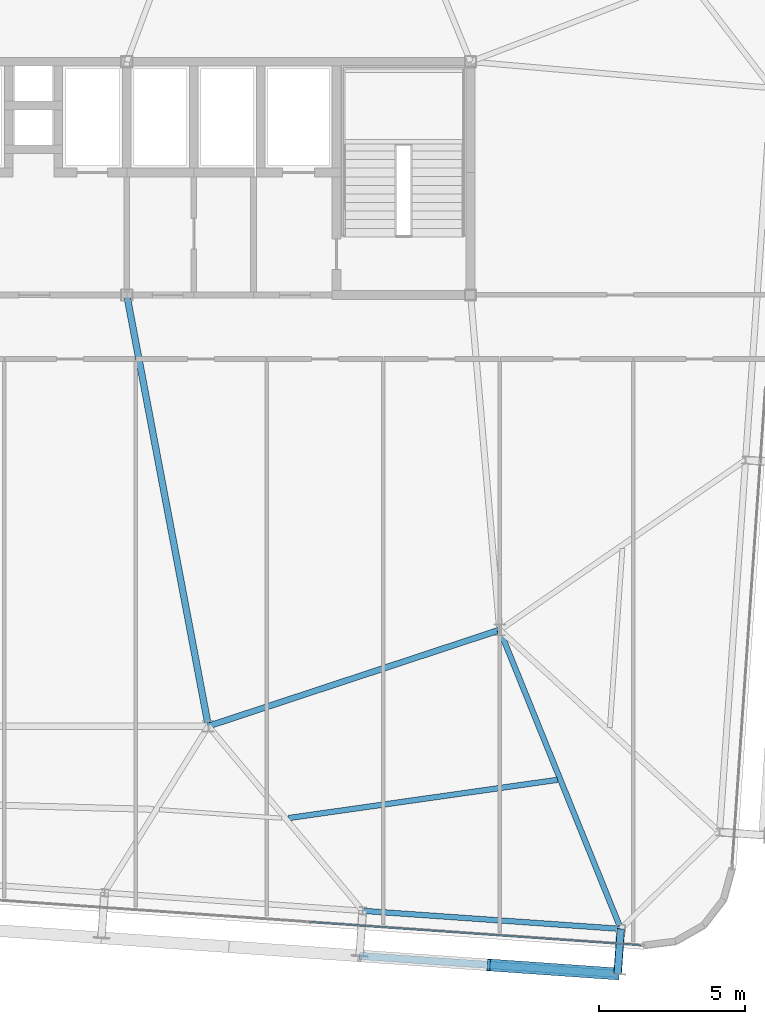
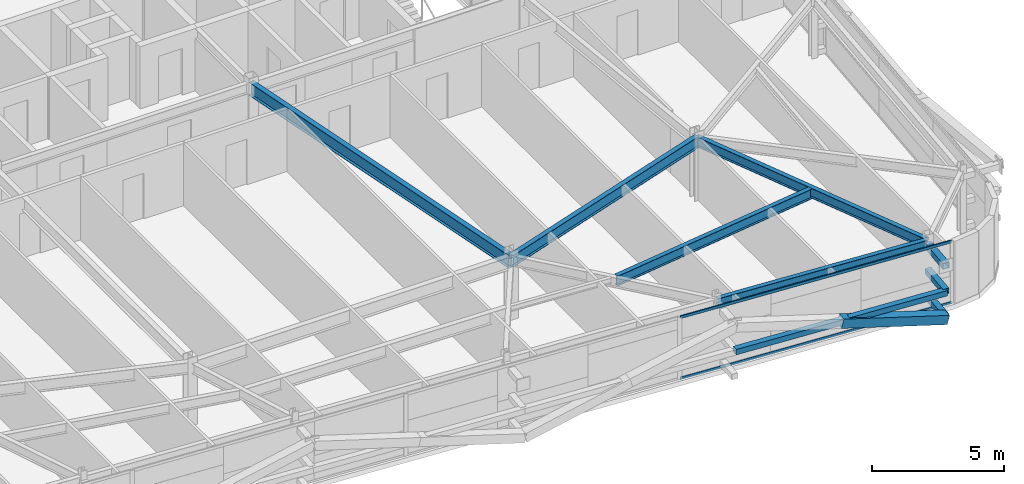
# One storey, part 14 of 39: 7 members, 5 beams, 1 element without a shape of its own.
"""IFC4 building model written with IfcOpenShell, lengths in metres."""

import ifcopenshell
import ifcopenshell.guid

model = None  # the IFC model being written
_history = None  # IfcOwnerHistory: only IFC2X3 demands one
_inside = {}  # id of a spatial element -> (the spatial element, [elements in it])
_under = {}  # id of a project, library or spatial element -> (it, [spatial elements below it])
_declared = {}  # id of a project -> (the project, [libraries it declares])
_typed = {}  # id of a type object -> (the type object, [elements of that type])
_made_of = {}  # id of a material, layer set ... -> (it, [elements and type objects made of it])


def new_model(schema):
    """Start an empty IFC model of exactly this schema.

    Asked for "IFC4X3", IfcOpenShell would pick the latest addendum, in which some entities
    have other attributes; the version numbers below select the first issue.
    IFC2X3 requires an IfcOwnerHistory on every rooted entity: one is made here for all.
    """
    global model, _history
    if schema == "IFC4X3":
        model = ifcopenshell.file(schema_version=(4, 3, 0, 0))
    else:
        model = ifcopenshell.file(schema=schema)
    _inside.clear()
    _under.clear()
    _declared.clear()
    _typed.clear()
    _made_of.clear()
    _history = None
    if model.schema == "IFC2X3":
        org = make("IfcOrganization", Name="unknown")
        user = make(
            "IfcPersonAndOrganization",
            ThePerson=make("IfcPerson", FamilyName="unknown"),
            TheOrganization=org,
        )
        app = make(
            "IfcApplication",
            ApplicationDeveloper=org,
            Version="unknown",
            ApplicationFullName="unknown",
            ApplicationIdentifier="unknown",
        )
        _history = make(
            "IfcOwnerHistory",
            OwningUser=user,
            OwningApplication=app,
            ChangeAction="ADDED",
            CreationDate=0,
        )
    return model


def make(cls, **values):
    """One entity of the class cls with the attributes given. An attribute that is None is left unset."""
    return model.create_entity(
        cls, **{name: value for name, value in values.items() if value is not None}
    )


def rooted(cls, **values):
    """An entity with a GlobalId (a new one), such as an element, a storey or a relation."""
    return make(cls, GlobalId=ifcopenshell.guid.new(), OwnerHistory=_history, **values)


def si_unit(unit_type, name, prefix=None):
    """IfcSIUnit, for example si_unit("LENGTHUNIT", "METRE", prefix="MILLI")."""
    return make("IfcSIUnit", UnitType=unit_type, Prefix=prefix, Name=name)


def assignment(units):
    """IfcUnitAssignment: the units of a project."""
    return None if units is None else make("IfcUnitAssignment", Units=units)


def point(xyz):
    """IfcCartesianPoint."""
    return None if xyz is None else make("IfcCartesianPoint", Coordinates=xyz)


def direction(xyz):
    """IfcDirection."""
    return None if xyz is None else make("IfcDirection", DirectionRatios=xyz)


def frame(location, z_axis=None, x_axis=None):
    """IfcAxis2Placement3D, a coordinate frame: its origin and axes. An axis left out is left unset."""
    return make(
        "IfcAxis2Placement3D",
        Location=point(location),
        Axis=direction(z_axis),
        RefDirection=direction(x_axis),
    )


def frame_2d(location, x_axis=None):
    """IfcAxis2Placement2D, a coordinate frame in the plane: its origin and x axis."""
    return make(
        "IfcAxis2Placement2D", Location=point(location), RefDirection=direction(x_axis)
    )


def origin():
    """The frame at (0, 0, 0) with its axes left unset."""
    return frame((0.0, 0.0, 0.0))


def origin_2d():
    """The frame at (0, 0) in the plane with its x axis left unset."""
    return frame_2d((0.0, 0.0))


def place(relative_to, where):
    """IfcLocalPlacement: puts the frame where relative to a parent placement (None: the world)."""
    return make(
        "IfcLocalPlacement", PlacementRelTo=relative_to, RelativePlacement=where
    )


def context(
    kind, dimensions, precision=None, world=None, true_north=None, identifier=None
):
    """IfcGeometricRepresentationContext, for example the 3D "Model" context."""
    return make(
        "IfcGeometricRepresentationContext",
        ContextIdentifier=identifier,
        ContextType=kind,
        CoordinateSpaceDimension=dimensions,
        Precision=precision,
        WorldCoordinateSystem=world,
        TrueNorth=true_north,
    )


def subcontext(parent, identifier, kind, view, scale=None):
    """IfcGeometricRepresentationSubContext, for example "Body" below "Model"."""
    return make(
        "IfcGeometricRepresentationSubContext",
        ContextIdentifier=identifier,
        ContextType=kind,
        ParentContext=parent,
        TargetScale=scale,
        TargetView=view,
    )


def project(units=None, contexts=None):
    """IfcProject with its units and contexts."""
    return rooted(
        "IfcProject",
        Name="project",
        RepresentationContexts=contexts,
        UnitsInContext=assignment(units),
    )


def spatial(cls, under=None, at=None, **own):
    """A site, building, storey or space (cls), placed at a placement, below another one or the project."""
    s = rooted(cls, ObjectPlacement=at, **own)
    if under is not None:
        _under.setdefault(under.id(), (under, []))[1].append(s)
    return s


def profile(cls, at=None, kind="AREA", **sizes):
    """A parametric profile (cls). Its sizes go by their IFC names, for example OverallWidth=200.0."""
    return make(cls, ProfileType=kind, Position=at, **sizes)


def hollow_rectangle(**sizes):
    """IfcRectangleHollowProfileDef."""
    return profile("IfcRectangleHollowProfileDef", **sizes)


def i_section(**sizes):
    """IfcIShapeProfileDef."""
    return profile("IfcIShapeProfileDef", **sizes)


def extrude(swept, where, along, depth):
    """IfcExtrudedAreaSolid: the profile swept, set in the frame where, extruded along a direction by depth."""
    return make(
        "IfcExtrudedAreaSolid",
        SweptArea=swept,
        Position=where,
        ExtrudedDirection=direction(along),
        Depth=depth,
    )


def shape(context_of_items, identifier, shape_type, items):
    """IfcShapeRepresentation: the items that make up one representation, for example the "Body"."""
    return make(
        "IfcShapeRepresentation",
        ContextOfItems=context_of_items,
        RepresentationIdentifier=identifier,
        RepresentationType=shape_type,
        Items=items,
    )


def source(mapping_origin, context_of_items, identifier, shape_type, items):
    """IfcRepresentationMap: a shape defined once, which mapped items show again and again."""
    return make(
        "IfcRepresentationMap",
        MappingOrigin=mapping_origin,
        MappedRepresentation=shape(context_of_items, identifier, shape_type, items),
    )


def transform(
    local_origin,
    x_axis=None,
    y_axis=None,
    z_axis=None,
    scale=None,
    scale2=None,
    scale3=None,
    uniform=True,
):
    """IfcCartesianTransformationOperator3D, or its non-uniform kind. x_axis, y_axis, z_axis: its Axis1, 2, 3."""
    if uniform:
        return make(
            "IfcCartesianTransformationOperator3D",
            Axis1=direction(x_axis),
            Axis2=direction(y_axis),
            LocalOrigin=point(local_origin),
            Scale=scale,
            Axis3=direction(z_axis),
        )
    return make(
        "IfcCartesianTransformationOperator3DnonUniform",
        Axis1=direction(x_axis),
        Axis2=direction(y_axis),
        LocalOrigin=point(local_origin),
        Scale=scale,
        Axis3=direction(z_axis),
        Scale2=scale2,
        Scale3=scale3,
    )


def mapped(mapping_source, mapping_target):
    """IfcMappedItem: shows the shape of a source again, moved by a transform."""
    return make(
        "IfcMappedItem", MappingSource=mapping_source, MappingTarget=mapping_target
    )


def material(Name=None, Category=None):
    """IfcMaterial."""
    return make("IfcMaterial", Name=Name, Category=Category)


def layer(
    of_material, thickness, ventilated=None, Name=None, Category=None, Priority=None
):
    """IfcMaterialLayer: one layer of a wall or slab, of a material (None: an air gap)."""
    return make(
        "IfcMaterialLayer",
        Material=of_material,
        LayerThickness=thickness,
        IsVentilated=ventilated,
        Name=Name,
        Category=Category,
        Priority=Priority,
    )


def layer_set(layers, Name=None):
    """IfcMaterialLayerSet."""
    return make("IfcMaterialLayerSet", MaterialLayers=layers, LayerSetName=Name)


def material_profile(
    of_material, cross_section, Name=None, Category=None, Priority=None
):
    """IfcMaterialProfile: a cross section and its material."""
    return make(
        "IfcMaterialProfile",
        Name=Name,
        Material=of_material,
        Profile=cross_section,
        Priority=Priority,
        Category=Category,
    )


def profile_set(profiles, Name=None, composite=None):
    """IfcMaterialProfileSet."""
    return make(
        "IfcMaterialProfileSet",
        Name=Name,
        MaterialProfiles=profiles,
        CompositeProfile=composite,
    )


def made_of(thing, what):
    """Note that an element or type object is made of a material, layer set ...; save() writes the relation."""
    if what is not None:
        _made_of.setdefault(what.id(), (what, []))[1].append(thing)
    return thing


def type_object(cls, material=None, **own):
    """A type object (cls), such as IfcWallType, which elements share."""
    return made_of(rooted(cls, **own), material)


def element(
    cls,
    number,
    at=None,
    inside=None,
    cuts=None,
    type_object=None,
    material=None,
    context=None,
    identifier="Body",
    shape_type=None,
    held_by="IfcProductDefinitionShape",
    body=None,
    shapes=None,
    **own,
):
    """One element of the class cls, such as IfcWall. Its Tag is "e" and its number.

    at: its placement. inside: the storey or other place that contains it. cuts: it is an
    opening in that element (IfcRelVoidsElement). A single representation is given by context,
    identifier, shape_type and body (its items); several are given by shapes. held_by: the class
    of the entity that holds the representations. save() writes the other relations.
    """
    e = rooted(cls, Tag="e%d" % number, ObjectPlacement=at, **own)
    if body is not None:
        shapes = [shape(context, identifier, shape_type, body)]
    if shapes is not None:
        e.Representation = make(held_by, Representations=shapes)
    if inside is not None:
        _inside.setdefault(inside.id(), (inside, []))[1].append(e)
    if cuts is not None:
        rooted(
            "IfcRelVoidsElement", RelatingBuildingElement=cuts, RelatedOpeningElement=e
        )
    if type_object is not None:
        _typed.setdefault(type_object.id(), (type_object, []))[1].append(e)
    return made_of(e, material)


def aggregate(whole, parts):
    """IfcRelAggregates: a whole, such as a stair, and the parts it consists of."""
    return rooted("IfcRelAggregates", RelatingObject=whole, RelatedObjects=parts)


def save(model, path):
    """Write the relations noted so far, then the file.

    IfcRelAggregates (storeys below a building ...), IfcRelContainedInSpatialStructure (elements
    in a storey), IfcRelDefinesByType, IfcRelAssociatesMaterial and IfcRelDeclares: one each for
    every whole, place, type object, material and project.
    """
    for whole, parts in _under.values():
        aggregate(whole, parts)
    for where, things in _inside.values():
        rooted(
            "IfcRelContainedInSpatialStructure",
            RelatedElements=things,
            RelatingStructure=where,
        )
    for kind, things in _typed.values():
        rooted("IfcRelDefinesByType", RelatedObjects=things, RelatingType=kind)
    for what, things in _made_of.values():
        rooted("IfcRelAssociatesMaterial", RelatedObjects=things, RelatingMaterial=what)
    for by, libraries in _declared.values():
        rooted("IfcRelDeclares", RelatingContext=by, RelatedDefinitions=libraries)
    model.write(path)


model = new_model("IFC4")

# Units and contexts
model_context = context("Model", 3, precision=1e-05, world=origin(), true_north=direction((0.0, 1.0)))
body_context = subcontext(model_context, "Body", "Model", "MODEL_VIEW")
ifc_project = project(units=[si_unit("LENGTHUNIT", "METRE"), si_unit("AREAUNIT", "SQUARE_METRE"), si_unit("VOLUMEUNIT", "CUBIC_METRE"), si_unit("PLANEANGLEUNIT", "RADIAN"), si_unit("MASSUNIT", "GRAM", prefix="KILO")], contexts=[model_context])

# Site, building, storey
site_placement = place(None, origin())
site = spatial("IfcSite", under=ifc_project, at=site_placement, CompositionType="ELEMENT")
building_placement = place(site_placement, origin())
building = spatial("IfcBuilding", under=site, at=building_placement, Name="Taldren Reach Tower", CompositionType="ELEMENT")
storey_placement = place(building_placement, frame((0.0, 0.0, 161.35009765625)))
storey = spatial("IfcBuildingStorey", under=building, at=storey_placement, Name="L49", CompositionType="ELEMENT", Elevation=161.35009765625)

# Beams
ifc_material_1 = material(Name="Steel Gr 350 (350PLUS)", Category="steel")
ifc_material_profile_1 = material_profile(ifc_material_1, i_section(OverallWidth=0.208984375, OverallDepth=0.532958984375, WebThickness=0.01025390625, FlangeThickness=0.015625, at=origin_2d()), Name="530UB92.4")
ifc_profile_set_1 = profile_set([ifc_material_profile_1], Name="Steel Gr 350 (350PLUS)")
beam_type_1 = type_object("IfcBeamType", Name="BM-UB530A", PredefinedType="BEAM", material=ifc_profile_set_1)
shared_shape_1 = source(origin(), body_context, "Body", "SweptSolid", [
    extrude(i_section(OverallWidth=0.208984375, OverallDepth=0.532958984375, WebThickness=0.01025390625, FlangeThickness=0.015625, at=origin_2d()), origin(), (0.0, 0.0, 1.0), 10.530517578125),
])
beam_1_placement = place(storey_placement, frame((42.0, 9.199951171875, 2.603515625), z_axis=(0.949627269203, 0.313381635689, 0.0), x_axis=(-0.313381635689, 0.949627269203, 0.0)))
element("IfcBeam", 1, at=beam_1_placement, inside=storey, type_object=beam_type_1, Name="Core-spine girder L49-SP12", PredefinedType="BEAM", context=body_context, shape_type="MappedRepresentation", body=[
    mapped(shared_shape_1, transform((0.0, 0.0, 0.0), scale=1.0)),
])
ifc_material_profile_2 = material_profile(ifc_material_1, i_section(OverallWidth=0.22802734375, OverallDepth=0.60205078125, WebThickness=0.010498046875, FlangeThickness=0.014892578125, at=origin_2d()), Name="610UB101")
ifc_profile_set_2 = profile_set([ifc_material_profile_2], Name="Steel Gr 350 (350PLUS)")
beam_type_2 = type_object("IfcBeamType", Name="BM-UB610B", PredefinedType="BEAM", material=ifc_profile_set_2)
shared_shape_2 = source(origin(), body_context, "Body", "SweptSolid", [
    extrude(i_section(OverallWidth=0.22802734375, OverallDepth=0.60205078125, WebThickness=0.010498046875, FlangeThickness=0.014892578125, at=origin_2d()), origin(), (0.0, 0.0, 1.0), 15.0625),
])
beam_2_placement = place(storey_placement, frame((39.199951171875, 24.0, 2.56884765625), z_axis=(0.185894205668, -0.982569765614, 0.0), x_axis=(0.982569765614, 0.185894205668, 0.0)))
element("IfcBeam", 2, at=beam_2_placement, inside=storey, type_object=beam_type_2, Name="Core-spine girder L49-SP15", PredefinedType="BEAM", context=body_context, shape_type="MappedRepresentation", body=[
    mapped(shared_shape_2, transform((0.0, 0.0, 0.0), scale=1.0)),
])

# Members
ifc_material_2 = material(Name="Steel Gr 450 (C450L0)", Category="steel")
ifc_material_profile_3 = material_profile(ifc_material_2, hollow_rectangle(XDim=0.27490234375, YDim=0.27490234375, WallThickness=0.00927734375, at=origin_2d()), Name="275x275x9.3SHS")
ifc_profile_set_3 = profile_set([ifc_material_profile_3], Name="Steel Gr 450 (C450L0)")
member_type_1 = type_object("IfcMemberType", Name="MB-TIE273", PredefinedType="STRUT", material=ifc_profile_set_3)
shared_shape_3 = source(origin(), body_context, "Body", "SweptSolid", [
    extrude(hollow_rectangle(XDim=0.27490234375, YDim=0.27490234375, WallThickness=0.00927734375, at=origin_2d()), origin(), (0.0, 0.0, 1.0), 1.5498046875),
])
member_1_placement = place(storey_placement, frame((56.155517578125, 2.2412109375, 2.58984375), z_axis=(-0.069780535098, -0.997562367434, 0.0), x_axis=(0.997562367434, -0.069780535098, 0.0)))
element("IfcMember", 3, at=member_1_placement, inside=storey, type_object=member_type_1, Name="Exoskeleton diaphragm tie strut B3-S6 L49", PredefinedType="STRUT", context=body_context, shape_type="MappedRepresentation", body=[
    mapped(shared_shape_3, transform((0.0, 0.0, 0.0), scale=1.0)),
])
ifc_material_3 = material(Name="Steel Gr 350 (C350L0)", Category="steel")
ifc_material_profile_4 = material_profile(ifc_material_3, hollow_rectangle(XDim=0.25, YDim=0.25, WallThickness=0.010009765625, at=origin_2d()), Name="250x250x10.0SHS")
ifc_profile_set_4 = profile_set([ifc_material_profile_4], Name="Steel Gr 350 (C350L0)")
member_type_2 = type_object("IfcMemberType", Name="MB-POST250", PredefinedType="POST", material=ifc_profile_set_4)
shared_shape_4 = source(origin(), body_context, "Body", "SweptSolid", [
    extrude(hollow_rectangle(XDim=0.25, YDim=0.25, WallThickness=0.010009765625, at=origin_2d()), origin(), (0.0, 0.0, 1.0), 1.5498046875),
])
for number, where, z_axis, x_axis, name in (
    (4, (56.155517578125, 2.2412109375, 0.219970703125), (-0.069780535098, -0.997562367434, 0.0), (0.997562367434, -0.069780535098, 0.0), "Exoskeleton base diaphragm tie strut B3-S6 L49"),
    (5, (56.155517578125, 2.2412109375, 1.40478515625), (-0.069780535098, -0.997562367434, 0.0), (0.997562367434, -0.069780535098, 0.0), "Exoskeleton mid-tier diaphragm tie B3-S6 L49"),
):
    element("IfcMember", number, at=place(storey_placement, frame(where, z_axis=z_axis, x_axis=x_axis)), inside=storey, type_object=member_type_2, Name=name, PredefinedType="POST", context=body_context, shape_type="MappedRepresentation", body=[
        mapped(shared_shape_4, transform((0.0, 0.0, 0.0), scale=1.0)),
    ])

# Beams
ifc_material_profile_5 = material_profile(ifc_material_1, i_section(OverallWidth=0.18994140625, OverallDepth=0.4541015625, WebThickness=0.008544921875, FlangeThickness=0.0126953125, at=origin_2d()), Name="460UB67.1")
ifc_profile_set_5 = profile_set([ifc_material_profile_5], Name="Steel Gr 350 (350PLUS)")
beam_type_3 = type_object("IfcBeamType", Name="SP-UB460B", PredefinedType="SPANDREL", material=ifc_profile_set_5)
shared_shape_5 = source(origin(), body_context, "Body", "SweptSolid", [
    extrude(i_section(OverallWidth=0.18994140625, OverallDepth=0.4541015625, WebThickness=0.008544921875, FlangeThickness=0.0126953125, at=origin_2d()), origin(), (0.0, 0.0, 1.0), 8.880126953125),
])
beam_3_placement = place(storey_placement, frame((47.297119140625, 2.860595703125, 2.642822265625), z_axis=(0.997564479639, -0.069750333063, 0.0), x_axis=(0.069750333063, 0.997564479639, 0.0)))
element("IfcBeam", 6, at=beam_3_placement, inside=storey, type_object=beam_type_3, Name="Perimeter spandrel B3 S5-S6 L49", PredefinedType="SPANDREL", context=body_context, shape_type="MappedRepresentation", body=[
    mapped(shared_shape_5, transform((0.0, 0.0, 0.0), scale=1.0)),
])
ifc_material_profile_6 = material_profile(ifc_material_1, i_section(OverallWidth=0.19091796875, OverallDepth=0.4599609375, WebThickness=0.010009765625, FlangeThickness=0.01611328125, at=origin_2d()), Name="460UB82.1")
ifc_profile_set_6 = profile_set([ifc_material_profile_6], Name="Steel Gr 350 (350PLUS)")
beam_type_4 = type_object("IfcBeamType", Name="BM-UB460A", PredefinedType="BEAM", material=ifc_profile_set_6)
shared_shape_6 = source(origin(), body_context, "Body", "SweptSolid", [
    extrude(i_section(OverallWidth=0.19091796875, OverallDepth=0.4599609375, WebThickness=0.010009765625, FlangeThickness=0.01611328125, at=origin_2d()), origin(), (0.0, 0.0, 1.0), 11.068359375),
])
beam_4_placement = place(storey_placement, frame((52.0, 12.5, 2.639892578125), z_axis=(0.375437319636, -0.92684778633, 0.0), x_axis=(0.92684778633, 0.375437319636, 0.0)))
element("IfcBeam", 7, at=beam_4_placement, inside=storey, type_object=beam_type_4, Name="Primary floor girder B3-S6 L49", PredefinedType="BEAM", context=body_context, shape_type="MappedRepresentation", body=[
    mapped(shared_shape_6, transform((0.0, 0.0, 0.0), scale=1.0)),
])
shared_shape_7 = source(origin(), body_context, "Body", "SweptSolid", [
    extrude(i_section(OverallWidth=0.19091796875, OverallDepth=0.4599609375, WebThickness=0.010009765625, FlangeThickness=0.01611328125, at=origin_2d()), origin(), (0.0, 0.0, 1.0), 9.313232421875),
])
beam_5_placement = place(storey_placement, frame((44.759765625, 6.046142578125, 2.639892578125), z_axis=(0.990049385514, 0.140720340547, 0.0), x_axis=(-0.140720340547, 0.990049385514, 0.0)))
element("IfcBeam", 8, at=beam_5_placement, inside=storey, type_object=beam_type_4, Name="Secondary floor beam B3 J5 L49", PredefinedType="BEAM", context=body_context, shape_type="MappedRepresentation", body=[
    mapped(shared_shape_7, transform((0.0, 0.0, 0.0), scale=1.0)),
])

# Members
shared_shape_8 = source(origin(), body_context, "Body", "SweptSolid", [
    extrude(hollow_rectangle(XDim=0.25, YDim=0.25, WallThickness=0.010009765625, at=origin_2d()), origin(), (0.0, 0.0, 1.0), 8.880126953125),
])
member_2_placement = place(storey_placement, frame((47.18896484375, 1.314453125, 1.40478515625), z_axis=(0.997564479639, -0.069750333063, 0.0), x_axis=(0.069750333063, 0.997564479639, 0.0)))
element("IfcMember", 9, at=member_2_placement, inside=storey, type_object=member_type_2, Name="Exoskeleton mid-height ring chord B3-S5 L49", PredefinedType="POST", context=body_context, shape_type="MappedRepresentation", body=[
    mapped(shared_shape_8, transform((0.0, 0.0, 0.0), scale=1.0)),
])
ifc_material_profile_7 = material_profile(ifc_material_2, hollow_rectangle(XDim=0.409912109375, YDim=0.409912109375, WallThickness=0.01611328125, at=origin_2d()), Name="410x410x16.0SHS")
ifc_profile_set_7 = profile_set([ifc_material_profile_7], Name="Steel Gr 450 (C450L0)")
member_type_3 = type_object("IfcMemberType", Name="MB-EXO406", PredefinedType="BRACE", material=ifc_profile_set_7)
shared_shape_9 = source(origin(), body_context, "Body", "SweptSolid", [
    extrude(hollow_rectangle(XDim=0.409912109375, YDim=0.409912109375, WallThickness=0.01611328125, at=origin_2d()), origin(), (0.0, 0.0, 1.0), 4.595458984375),
])
member_3_placement = place(storey_placement, frame((56.04736328125, 0.695068359375, 0.219970703125), z_axis=(-0.963839535663, 0.0673657001, 0.257827872703), x_axis=(-0.069722973508, -0.997566392259, 0.0)))
element("IfcMember", 10, at=member_3_placement, inside=storey, type_object=member_type_3, Name="Exoskeleton Diagrid Brace B3-S5 L49", PredefinedType="BRACE", context=body_context, shape_type="MappedRepresentation", body=[
    mapped(shared_shape_9, transform((0.0, 0.0, 0.0), scale=1.0)),
])

# Curtain wall, members
ifc_material_4 = material(Name="Aluminium and Low-E Glass Unitised System", Category="aluminium")
ifc_layer = layer(ifc_material_4, 0.159912109375)
ifc_layer_set = layer_set([ifc_layer], Name="Aluminium and Low-E Glass Unitised System")
curtain_wall_type = type_object("IfcCurtainWallType", Name="CW-SYS-4", PredefinedType="NOTDEFINED", material=ifc_layer_set)
curtain_wall_placement = place(storey_placement, origin())
curtain_wall = element("IfcCurtainWall", 11, at=curtain_wall_placement, inside=storey, type_object=curtain_wall_type, Name="Unitised curtain wall CW-L49-S", PredefinedType="NOTDEFINED")
ifc_material_5 = material(Name="Anodised Aluminium 6063-T6", Category="aluminium")
ifc_material_profile_8 = material_profile(ifc_material_5, hollow_rectangle(XDim=0.054931640625, YDim=0.1201171875, WallThickness=0.0029296875, at=origin_2d()), Name="ALU-120x55x3RHS")
ifc_profile_set_8 = profile_set([ifc_material_profile_8], Name="Anodised Aluminium 6063-T6")
member_type_4 = type_object("IfcMemberType", Name="CW-TRN-135", PredefinedType="USERDEFINED", material=ifc_profile_set_8)
shared_shape_10 = source(origin(), body_context, "Body", "SweptSolid", [
    extrude(hollow_rectangle(XDim=0.054931640625, YDim=0.1201171875, WallThickness=0.0029296875, at=origin_2d()), origin(), (0.0, 0.0, 1.0), 11.395263671875),
])
member_4_placement = place(storey_placement, frame((45.480712890625, 2.476318359375, 0.02734375), z_axis=(0.997565335668, -0.069738089122, 0.0), x_axis=(0.069738089122, 0.997565335668, 0.0)))
member_4 = element("IfcMember", 12, at=member_4_placement, type_object=member_type_4, Name="CW-4 transom 4.1", ObjectType="TRANSOM", PredefinedType="USERDEFINED", context=body_context, shape_type="MappedRepresentation", body=[
    mapped(shared_shape_10, transform((0.0, 0.0, 0.0), scale=1.0)),
])
member_5_placement = place(storey_placement, frame((45.480712890625, 2.476318359375, 2.84228515625), z_axis=(0.997565335668, -0.069738089122, 0.0), x_axis=(0.069738089122, 0.997565335668, 0.0)))
member_5 = element("IfcMember", 13, at=member_5_placement, type_object=member_type_4, Name="CW-4 transom 4.2", ObjectType="TRANSOM", PredefinedType="USERDEFINED", context=body_context, shape_type="MappedRepresentation", body=[
    mapped(shared_shape_10, transform((0.0, 0.0, 0.0), scale=1.0)),
])
aggregate(curtain_wall, [member_4, member_5])

save(model, "model.ifc")
